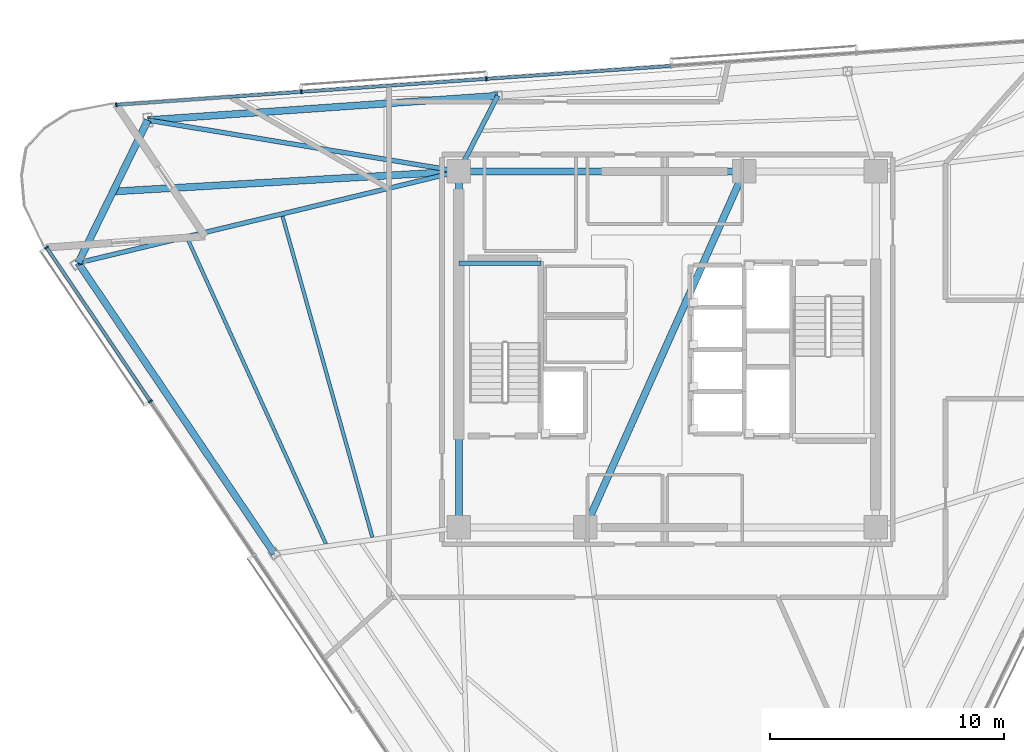
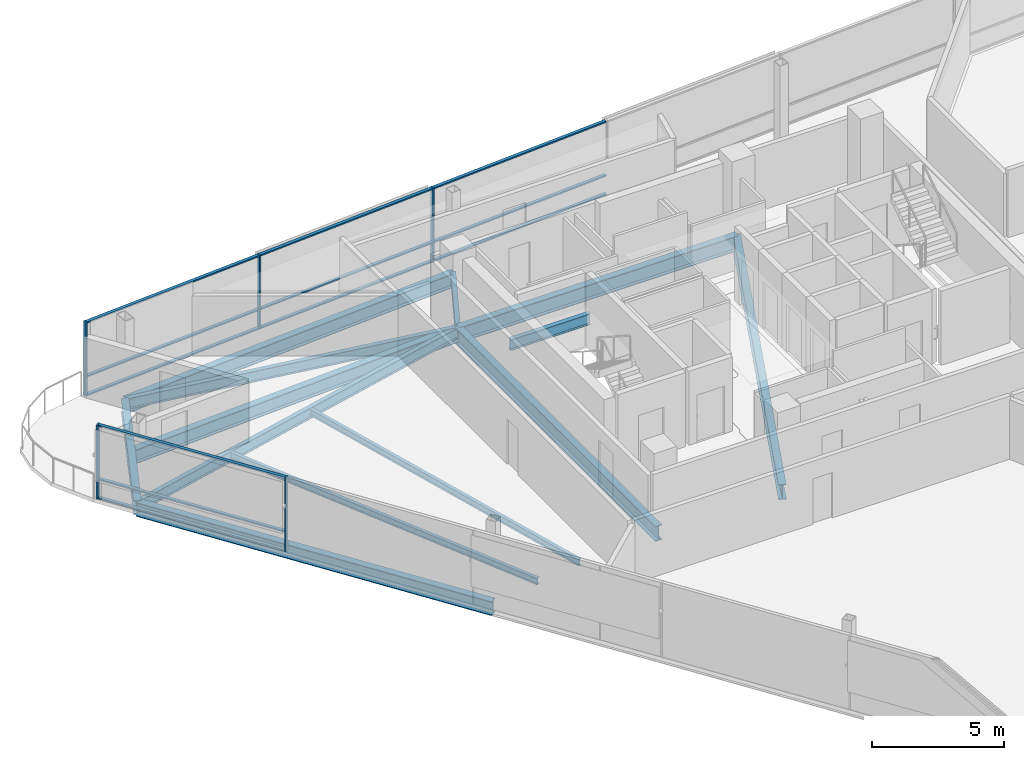
# One storey, part 5 of 16: 17 members, 13 beams, 2 elements without a shape of their own.
"""IFC4 building model written with IfcOpenShell, lengths in metres."""

from ifc_helpers import new_model, si_unit, direction, frame, origin, origin_2d, place, context, subcontext, project, spatial, rectangle, i_section, extrude, material, layer, layer_set, material_profile, profile_set, type_object, element, aggregate, save


model = new_model("IFC4")

# Units and contexts
model_context = context("Model", 3, precision=1e-05, world=origin(), true_north=direction((0.0, 1.0)))
body_context = subcontext(model_context, "Body", "Model", "MODEL_VIEW")
ifc_project = project(units=[si_unit("LENGTHUNIT", "METRE"), si_unit("AREAUNIT", "SQUARE_METRE"), si_unit("VOLUMEUNIT", "CUBIC_METRE"), si_unit("PLANEANGLEUNIT", "RADIAN"), si_unit("MASSUNIT", "GRAM", prefix="KILO")], contexts=[model_context])

# Site, building, storey
site_placement = place(None, origin())
site = spatial("IfcSite", under=ifc_project, at=site_placement, CompositionType="ELEMENT")
building_placement = place(site_placement, origin())
building = spatial("IfcBuilding", under=site, at=building_placement, Name="Tharavind Bronze Gate", CompositionType="ELEMENT")
storey_placement = place(building_placement, frame((0.0, 0.0, 271.39990234375)))
storey = spatial("IfcBuildingStorey", under=building, at=storey_placement, Name="L70", CompositionType="ELEMENT", Elevation=271.39990234375)

# Curtain wall, members
ifc_material_1 = material(Name="Anodised Bronze Aluminium", Category="aluminium")
ifc_layer = layer(ifc_material_1, 0.219970703125)
ifc_layer_set = layer_set([ifc_layer], Name="Anodised Bronze Aluminium")
curtain_wall_type = type_object("IfcCurtainWallType", Name="UNITISED CURTAIN WALL UPPER OFFICE", PredefinedType="USERDEFINED", material=ifc_layer_set)
curtain_wall_1_placement = place(storey_placement, origin())
curtain_wall_1 = element("IfcCurtainWall", 1, at=curtain_wall_1_placement, inside=storey, type_object=curtain_wall_type, Name="L70 unitised curtain wall upper office CW-L70-S1", ObjectType="UNITISED CURTAIN WALL", PredefinedType="USERDEFINED")
member_type_1 = type_object("IfcMemberType", Name="CURTAIN WALL BRONZE MULLION 65X180", PredefinedType="MULLION", material=ifc_material_1)
member_1_placement = place(storey_placement, frame((-26.498046875, 4.352294921875, 0.000244140625), z_axis=(0.0, 0.0, 1.0), x_axis=(0.559191456526, -0.82903854853, 0.0)))
member_1 = element("IfcMember", 2, at=member_1_placement, type_object=member_type_1, Name="CW-L70-S1 mullion 1", PredefinedType="MULLION", context=body_context, shape_type="SweptSolid", body=[
    extrude(rectangle(XDim=0.06494140625, YDim=0.179931640625, at=origin_2d()), origin(), (0.0, 0.0, 1.0), 3.419921875),
])
member_2_placement = place(storey_placement, frame((-22.069091796875, -2.214111328125, 0.000244140625), z_axis=(0.0, 0.0, 1.0), x_axis=(0.559191456526, -0.82903854853, 0.0)))
member_2 = element("IfcMember", 3, at=member_2_placement, type_object=member_type_1, Name="CW-L70-S1 mullion 2", PredefinedType="MULLION", context=body_context, shape_type="SweptSolid", body=[
    extrude(rectangle(XDim=0.06494140625, YDim=0.179931640625, at=origin_2d()), origin(), (0.0, 0.0, 1.0), 3.419921875),
])

curtain_wall_2_placement = place(storey_placement, origin())
curtain_wall_2 = element("IfcCurtainWall", 4, at=curtain_wall_2_placement, inside=storey, type_object=curtain_wall_type, Name="L70 unitised curtain wall upper office CW-L70-S3", ObjectType="UNITISED CURTAIN WALL", PredefinedType="USERDEFINED")
member_3_placement = place(storey_placement, frame((-7.7236328125, 11.551025390625, 0.000244140625), z_axis=(0.0, 0.0, 1.0), x_axis=(-0.997563806758, -0.069759955899, 0.0)))
member_3 = element("IfcMember", 5, at=member_3_placement, type_object=member_type_1, Name="CW-L70-S3 mullion 5", PredefinedType="MULLION", context=body_context, shape_type="SweptSolid", body=[
    extrude(rectangle(XDim=0.06494140625, YDim=0.179931640625, at=origin_2d()), origin(), (0.0, 0.0, 1.0), 3.419921875),
])
member_4_placement = place(storey_placement, frame((-15.624755859375, 10.99853515625, 0.000244140625), z_axis=(0.0, 0.0, 1.0), x_axis=(-0.997563806758, -0.069759955899, 0.0)))
member_4 = element("IfcMember", 6, at=member_4_placement, type_object=member_type_1, Name="CW-L70-S3 mullion 6", PredefinedType="MULLION", context=body_context, shape_type="SweptSolid", body=[
    extrude(rectangle(XDim=0.06494140625, YDim=0.179931640625, at=origin_2d()), origin(), (0.0, 0.0, 1.0), 3.419921875),
])
member_5_placement = place(storey_placement, frame((-23.52587890625, 10.446044921875, 0.000244140625), z_axis=(0.0, 0.0, 1.0), x_axis=(-0.997563806758, -0.069759955899, 0.0)))
member_5 = element("IfcMember", 7, at=member_5_placement, type_object=member_type_1, Name="CW-L70-S3 mullion 7", PredefinedType="MULLION", context=body_context, shape_type="SweptSolid", body=[
    extrude(rectangle(XDim=0.06494140625, YDim=0.179931640625, at=origin_2d()), origin(), (0.0, 0.0, 1.0), 3.419921875),
])

# Member
member_type_2 = type_object("IfcMemberType", Name="CURTAIN WALL BRONZE TRANSOM 65X140", PredefinedType="USERDEFINED", material=ifc_material_1)
member_6_placement = place(storey_placement, frame((-24.283447265625, 1.069091796875, 0.000244140625), z_axis=(0.0, 0.0, 1.0), x_axis=(0.559191456526, -0.82903854853, 0.0)))
member_6 = element("IfcMember", 8, at=member_6_placement, type_object=member_type_2, Name="CW-L70-S1 transom TB1", ObjectType="TRANSOM", PredefinedType="USERDEFINED", context=body_context, shape_type="SweptSolid", body=[
    extrude(rectangle(XDim=7.8671875, YDim=0.139892578125, at=origin_2d()), origin(), (0.0, 0.0, 1.0), 0.06494140625),
])

member_7_placement = place(storey_placement, frame((-24.283447265625, 1.069091796875, 0.86767578125), z_axis=(0.0, 0.0, 1.0), x_axis=(0.559191456526, -0.82903854853, 0.0)))
member_7 = element("IfcMember", 9, at=member_7_placement, type_object=member_type_2, Name="CW-L70-S1 transom TS1", ObjectType="TRANSOM", PredefinedType="USERDEFINED", context=body_context, shape_type="SweptSolid", body=[
    extrude(rectangle(XDim=7.8671875, YDim=0.139892578125, at=origin_2d()), origin(), (0.0, 0.0, 1.0), 0.06494140625),
])

member_8_placement = place(storey_placement, frame((-24.283447265625, 1.069091796875, 3.355224609375), z_axis=(0.0, 0.0, 1.0), x_axis=(0.559191456526, -0.82903854853, 0.0)))
member_8 = element("IfcMember", 10, at=member_8_placement, type_object=member_type_2, Name="CW-L70-S1 transom TT1", ObjectType="TRANSOM", PredefinedType="USERDEFINED", context=body_context, shape_type="SweptSolid", body=[
    extrude(rectangle(XDim=7.8671875, YDim=0.139892578125, at=origin_2d()), origin(), (0.0, 0.0, 1.0), 0.06494140625),
])

aggregate(curtain_wall_1, [member_1, member_2, member_6, member_7, member_8])

member_9_placement = place(storey_placement, frame((-3.773193359375, 11.827392578125, 0.000244140625), z_axis=(0.0, 0.0, 1.0), x_axis=(-0.997563806758, -0.069759955899, 0.0)))
member_9 = element("IfcMember", 11, at=member_9_placement, type_object=member_type_2, Name="CW-L70-S3 transom TB4", ObjectType="TRANSOM", PredefinedType="USERDEFINED", context=body_context, shape_type="SweptSolid", body=[
    extrude(rectangle(XDim=7.8671875, YDim=0.139892578125, at=origin_2d()), origin(), (0.0, 0.0, 1.0), 0.06494140625),
])

member_10_placement = place(storey_placement, frame((-3.773193359375, 11.827392578125, 0.86767578125), z_axis=(0.0, 0.0, 1.0), x_axis=(-0.997563806758, -0.069759955899, 0.0)))
member_10 = element("IfcMember", 12, at=member_10_placement, type_object=member_type_2, Name="CW-L70-S3 transom TS4", ObjectType="TRANSOM", PredefinedType="USERDEFINED", context=body_context, shape_type="SweptSolid", body=[
    extrude(rectangle(XDim=7.8671875, YDim=0.139892578125, at=origin_2d()), origin(), (0.0, 0.0, 1.0), 0.06494140625),
])

member_11_placement = place(storey_placement, frame((-3.773193359375, 11.827392578125, 3.355224609375), z_axis=(0.0, 0.0, 1.0), x_axis=(-0.997563806758, -0.069759955899, 0.0)))
member_11 = element("IfcMember", 13, at=member_11_placement, type_object=member_type_2, Name="CW-L70-S3 transom TT4", ObjectType="TRANSOM", PredefinedType="USERDEFINED", context=body_context, shape_type="SweptSolid", body=[
    extrude(rectangle(XDim=7.8671875, YDim=0.139892578125, at=origin_2d()), origin(), (0.0, 0.0, 1.0), 0.06494140625),
])

member_12_placement = place(storey_placement, frame((-11.67431640625, 11.27490234375, 0.000244140625), z_axis=(0.0, 0.0, 1.0), x_axis=(-0.997563806758, -0.069759955899, 0.0)))
member_12 = element("IfcMember", 14, at=member_12_placement, type_object=member_type_2, Name="CW-L70-S3 transom TB5", ObjectType="TRANSOM", PredefinedType="USERDEFINED", context=body_context, shape_type="SweptSolid", body=[
    extrude(rectangle(XDim=7.8671875, YDim=0.139892578125, at=origin_2d()), origin(), (0.0, 0.0, 1.0), 0.06494140625),
])

member_13_placement = place(storey_placement, frame((-11.67431640625, 11.27490234375, 0.86767578125), z_axis=(0.0, 0.0, 1.0), x_axis=(-0.997563806758, -0.069759955899, 0.0)))
member_13 = element("IfcMember", 15, at=member_13_placement, type_object=member_type_2, Name="CW-L70-S3 transom TS5", ObjectType="TRANSOM", PredefinedType="USERDEFINED", context=body_context, shape_type="SweptSolid", body=[
    extrude(rectangle(XDim=7.8671875, YDim=0.139892578125, at=origin_2d()), origin(), (0.0, 0.0, 1.0), 0.06494140625),
])

member_14_placement = place(storey_placement, frame((-11.67431640625, 11.27490234375, 3.355224609375), z_axis=(0.0, 0.0, 1.0), x_axis=(-0.997563806758, -0.069759955899, 0.0)))
member_14 = element("IfcMember", 16, at=member_14_placement, type_object=member_type_2, Name="CW-L70-S3 transom TT5", ObjectType="TRANSOM", PredefinedType="USERDEFINED", context=body_context, shape_type="SweptSolid", body=[
    extrude(rectangle(XDim=7.8671875, YDim=0.139892578125, at=origin_2d()), origin(), (0.0, 0.0, 1.0), 0.06494140625),
])

member_15_placement = place(storey_placement, frame((-19.5751953125, 10.722412109375, 0.000244140625), z_axis=(0.0, 0.0, 1.0), x_axis=(-0.997563806758, -0.069759955899, 0.0)))
member_15 = element("IfcMember", 17, at=member_15_placement, type_object=member_type_2, Name="CW-L70-S3 transom TB6", ObjectType="TRANSOM", PredefinedType="USERDEFINED", context=body_context, shape_type="SweptSolid", body=[
    extrude(rectangle(XDim=7.8671875, YDim=0.139892578125, at=origin_2d()), origin(), (0.0, 0.0, 1.0), 0.06494140625),
])

member_16_placement = place(storey_placement, frame((-19.5751953125, 10.722412109375, 0.86767578125), z_axis=(0.0, 0.0, 1.0), x_axis=(-0.997563806758, -0.069759955899, 0.0)))
member_16 = element("IfcMember", 18, at=member_16_placement, type_object=member_type_2, Name="CW-L70-S3 transom TS6", ObjectType="TRANSOM", PredefinedType="USERDEFINED", context=body_context, shape_type="SweptSolid", body=[
    extrude(rectangle(XDim=7.8671875, YDim=0.139892578125, at=origin_2d()), origin(), (0.0, 0.0, 1.0), 0.06494140625),
])

member_17_placement = place(storey_placement, frame((-19.5751953125, 10.722412109375, 3.355224609375), z_axis=(0.0, 0.0, 1.0), x_axis=(-0.997563806758, -0.069759955899, 0.0)))
member_17 = element("IfcMember", 19, at=member_17_placement, type_object=member_type_2, Name="CW-L70-S3 transom TT6", ObjectType="TRANSOM", PredefinedType="USERDEFINED", context=body_context, shape_type="SweptSolid", body=[
    extrude(rectangle(XDim=7.8671875, YDim=0.139892578125, at=origin_2d()), origin(), (0.0, 0.0, 1.0), 0.06494140625),
])

aggregate(curtain_wall_2, [member_3, member_4, member_5, member_9, member_10, member_11, member_12, member_13, member_14, member_15, member_16, member_17])

# Beams
ifc_material_2 = material(Name="Steel S355", Category="steel")
ifc_material_profile_1 = material_profile(ifc_material_2, i_section(OverallWidth=0.300048828125, OverallDepth=0.64990234375, WebThickness=0.01611328125, FlangeThickness=0.031005859375, at=origin_2d()), Name="HE650B")
ifc_profile_set_1 = profile_set([ifc_material_profile_1], Name="Steel S355")
beam_type_1 = type_object("IfcBeamType", Name="PRIMARY GIRDER HE650B", PredefinedType="USERDEFINED", material=ifc_profile_set_1)
beam_1_placement = place(storey_placement, frame((-25.14990234375, 3.694580078125, -0.5048828125), z_axis=(0.559195614283, -0.829035744083, 0.0), x_axis=(0.829035744083, 0.559195614283, 0.0)))
element("IfcBeam", 20, at=beam_1_placement, inside=storey, type_object=beam_type_1, Name="L70 primary girder he650b BM-L70-PRG01", ObjectType="GIRDER", PredefinedType="USERDEFINED", context=body_context, shape_type="SweptSolid", body=[
    extrude(i_section(OverallWidth=0.300048828125, OverallDepth=0.64990234375, WebThickness=0.01611328125, FlangeThickness=0.031005859375, at=origin_2d()), origin(), (0.0, 0.0, 1.0), 14.974609375),
])
beam_2_placement = place(storey_placement, frame((-7.239501953125, 10.8330078125, -0.5048828125), z_axis=(-0.997564665038, -0.069747681447, 0.0), x_axis=(0.069747681447, -0.997564665038, 0.0)))
element("IfcBeam", 21, at=beam_2_placement, inside=storey, type_object=beam_type_1, Name="L70 primary girder he650b BM-L70-PRG11", ObjectType="GIRDER", PredefinedType="USERDEFINED", context=body_context, shape_type="SweptSolid", body=[
    extrude(i_section(OverallWidth=0.300048828125, OverallDepth=0.64990234375, WebThickness=0.01611328125, FlangeThickness=0.031005859375, at=origin_2d()), origin(), (0.0, 0.0, 1.0), 14.974365234375),
])
beam_3_placement = place(storey_placement, frame((-22.177490234375, 9.78857421875, -0.5048828125), z_axis=(-0.438391707719, -0.898784017772, 0.0), x_axis=(0.898784017772, -0.438391707719, 0.0)))
element("IfcBeam", 22, at=beam_3_placement, inside=storey, type_object=beam_type_1, Name="L70 primary girder he650b BM-L70-PRG12", ObjectType="GIRDER", PredefinedType="USERDEFINED", context=body_context, shape_type="SweptSolid", body=[
    extrude(i_section(OverallWidth=0.300048828125, OverallDepth=0.64990234375, WebThickness=0.01611328125, FlangeThickness=0.031005859375, at=origin_2d()), origin(), (0.0, 0.0, 1.0), 6.7802734375),
])
beam_4_placement = place(storey_placement, frame((-8.89990234375, 7.60009765625, -0.5048828125), z_axis=(-0.998314047526, -0.058043625934, 0.0), x_axis=(0.058043625934, -0.998314047526, 0.0)))
element("IfcBeam", 23, at=beam_4_placement, inside=storey, type_object=beam_type_1, Name="L70 primary girder he650b BM-L70-BLCSB", ObjectType="GIRDER", PredefinedType="USERDEFINED", context=body_context, shape_type="SweptSolid", body=[
    extrude(i_section(OverallWidth=0.300048828125, OverallDepth=0.64990234375, WebThickness=0.01611328125, FlangeThickness=0.031005859375, at=origin_2d()), origin(), (0.0, 0.0, 1.0), 14.788818359375),
])
ifc_material_profile_2 = material_profile(ifc_material_2, i_section(OverallWidth=0.199951171875, OverallDepth=0.5, WebThickness=0.01025390625, FlangeThickness=0.01611328125, at=origin_2d()), Name="IPE500")
ifc_profile_set_2 = profile_set([ifc_material_profile_2], Name="Steel S355")
beam_type_2 = type_object("IfcBeamType", Name="PRIMARY GIRDER IPE500", PredefinedType="USERDEFINED", material=ifc_profile_set_2)
beam_5_placement = place(storey_placement, frame((-8.89990234375, 3.679931640625, 1.35009765625), z_axis=(1.0, 0.0, 0.0), x_axis=(0.0, 1.0, 0.0)))
element("IfcBeam", 24, at=beam_5_placement, inside=storey, type_object=beam_type_2, Name="L70 primary girder ipe500 BM-LD-ST1-L70-1", ObjectType="GIRDER", PredefinedType="USERDEFINED", context=body_context, shape_type="SweptSolid", body=[
    extrude(i_section(OverallWidth=0.199951171875, OverallDepth=0.5, WebThickness=0.01025390625, FlangeThickness=0.01611328125, at=origin_2d()), origin(), (0.0, 0.0, 1.0), 3.5),
])
beam_6_placement = place(storey_placement, frame((-25.14990234375, 3.694580078125, -0.429931640625), z_axis=(0.97231233309, 0.23368510205, 0.0), x_axis=(-0.23368510205, 0.97231233309, 0.0)))
element("IfcBeam", 25, at=beam_6_placement, inside=storey, type_object=beam_type_2, Name="L70 primary girder ipe500 BM-L70-RAD01", ObjectType="GIRDER", PredefinedType="USERDEFINED", context=body_context, shape_type="SweptSolid", body=[
    extrude(i_section(OverallWidth=0.199951171875, OverallDepth=0.5, WebThickness=0.01025390625, FlangeThickness=0.01611328125, at=origin_2d()), origin(), (0.0, 0.0, 1.0), 16.712646484375),
])
beam_7_placement = place(storey_placement, frame((-7.239501953125, 10.8330078125, -0.429931640625), z_axis=(-0.45686071546, -0.889538243511, 0.0), x_axis=(0.889538243511, -0.45686071546, 0.0)))
element("IfcBeam", 26, at=beam_7_placement, inside=storey, type_object=beam_type_2, Name="L70 primary girder ipe500 BM-L70-RAD11", ObjectType="GIRDER", PredefinedType="USERDEFINED", context=body_context, shape_type="SweptSolid", body=[
    extrude(i_section(OverallWidth=0.199951171875, OverallDepth=0.5, WebThickness=0.01025390625, FlangeThickness=0.01611328125, at=origin_2d()), origin(), (0.0, 0.0, 1.0), 3.63427734375),
])
beam_8_placement = place(storey_placement, frame((-22.177490234375, 9.78857421875, -0.429931640625), z_axis=(0.986687034236, -0.16263055208, 0.0), x_axis=(0.16263055208, 0.986687034236, 0.0)))
element("IfcBeam", 27, at=beam_8_placement, inside=storey, type_object=beam_type_2, Name="L70 primary girder ipe500 BM-L70-RAD12", ObjectType="GIRDER", PredefinedType="USERDEFINED", context=body_context, shape_type="SweptSolid", body=[
    extrude(i_section(OverallWidth=0.199951171875, OverallDepth=0.5, WebThickness=0.01025390625, FlangeThickness=0.01611328125, at=origin_2d()), origin(), (0.0, 0.0, 1.0), 13.456787109375),
])
ifc_material_profile_3 = material_profile(ifc_material_2, i_section(OverallWidth=0.300048828125, OverallDepth=0.699951171875, WebThickness=0.01708984375, FlangeThickness=0.031982421875, at=origin_2d()), Name="HE700B")
ifc_profile_set_3 = profile_set([ifc_material_profile_3], Name="Steel S355")
beam_type_3 = type_object("IfcBeamType", Name="RING GIRDER HE700B", PredefinedType="USERDEFINED", material=ifc_profile_set_3)
beam_9_placement = place(storey_placement, frame((3.280029296875, 7.60009765625, -0.52978515625), z_axis=(-1.0, 0.0, 0.0), x_axis=(0.0, -1.0, 0.0)))
element("IfcBeam", 28, at=beam_9_placement, inside=storey, type_object=beam_type_3, Name="L70 ring girder he700b BM-L70-CR5", ObjectType="GIRDER", PredefinedType="USERDEFINED", context=body_context, shape_type="SweptSolid", body=[
    extrude(i_section(OverallWidth=0.300048828125, OverallDepth=0.699951171875, WebThickness=0.01708984375, FlangeThickness=0.031982421875, at=origin_2d()), origin(), (0.0, 0.0, 1.0), 12.179931640625),
])
beam_10_placement = place(storey_placement, frame((-8.89990234375, 7.60009765625, -0.52978515625), z_axis=(0.0, -1.0, 0.0), x_axis=(1.0, 0.0, 0.0)))
element("IfcBeam", 29, at=beam_10_placement, inside=storey, type_object=beam_type_3, Name="L70 ring girder he700b BM-L70-CR6", ObjectType="GIRDER", PredefinedType="USERDEFINED", context=body_context, shape_type="SweptSolid", body=[
    extrude(i_section(OverallWidth=0.300048828125, OverallDepth=0.699951171875, WebThickness=0.01708984375, FlangeThickness=0.031982421875, at=origin_2d()), origin(), (0.0, 0.0, 1.0), 15.2001953125),
])
beam_11_placement = place(storey_placement, frame((-3.5, -7.60009765625, -0.52978515625), z_axis=(0.407361644566, 0.913266932795, 0.0), x_axis=(-0.913266932795, 0.407361644566, 0.0)))
element("IfcBeam", 30, at=beam_11_placement, inside=storey, type_object=beam_type_3, Name="L70 ring girder he700b BM-L70-CR7", ObjectType="GIRDER", PredefinedType="USERDEFINED", context=body_context, shape_type="SweptSolid", body=[
    extrude(i_section(OverallWidth=0.300048828125, OverallDepth=0.699951171875, WebThickness=0.01708984375, FlangeThickness=0.031982421875, at=origin_2d()), origin(), (0.0, 0.0, 1.0), 16.643798828125),
])
ifc_material_profile_4 = material_profile(ifc_material_2, i_section(OverallWidth=0.14990234375, OverallDepth=0.300048828125, WebThickness=0.007080078125, FlangeThickness=0.0107421875, at=origin_2d()), Name="IPE300")
ifc_profile_set_4 = profile_set([ifc_material_profile_4], Name="Steel S355")
beam_type_4 = type_object("IfcBeamType", Name="SECONDARY FLOOR JOIST IPE300", PredefinedType="JOIST", material=ifc_profile_set_4)
beam_12_placement = place(storey_placement, frame((-16.427978515625, 5.683837890625, -0.329833984375), z_axis=(0.26963947071, -0.96296134701, 0.0), x_axis=(0.96296134701, 0.26963947071, 0.0)))
element("IfcBeam", 31, at=beam_12_placement, inside=storey, type_object=beam_type_4, Name="L70 secondary floor joist ipe300 BM-L70-JSTA01", PredefinedType="JOIST", context=body_context, shape_type="SweptSolid", body=[
    extrude(i_section(OverallWidth=0.14990234375, OverallDepth=0.300048828125, WebThickness=0.007080078125, FlangeThickness=0.0107421875, at=origin_2d()), origin(), (0.0, 0.0, 1.0), 14.230712890625),
])
beam_13_placement = place(storey_placement, frame((-20.47509765625, 4.711181640625, -0.329833984375), z_axis=(0.412859068065, -0.910794921987, 0.0), x_axis=(0.910794921987, 0.412859068065, 0.0)))
element("IfcBeam", 32, at=beam_13_placement, inside=storey, type_object=beam_type_4, Name="L70 secondary floor joist ipe300 BM-L70-JSTB01", PredefinedType="JOIST", context=body_context, shape_type="SweptSolid", body=[
    extrude(i_section(OverallWidth=0.14990234375, OverallDepth=0.300048828125, WebThickness=0.007080078125, FlangeThickness=0.0107421875, at=origin_2d()), origin(), (0.0, 0.0, 1.0), 14.2880859375),
])

save(model, "model.ifc")
